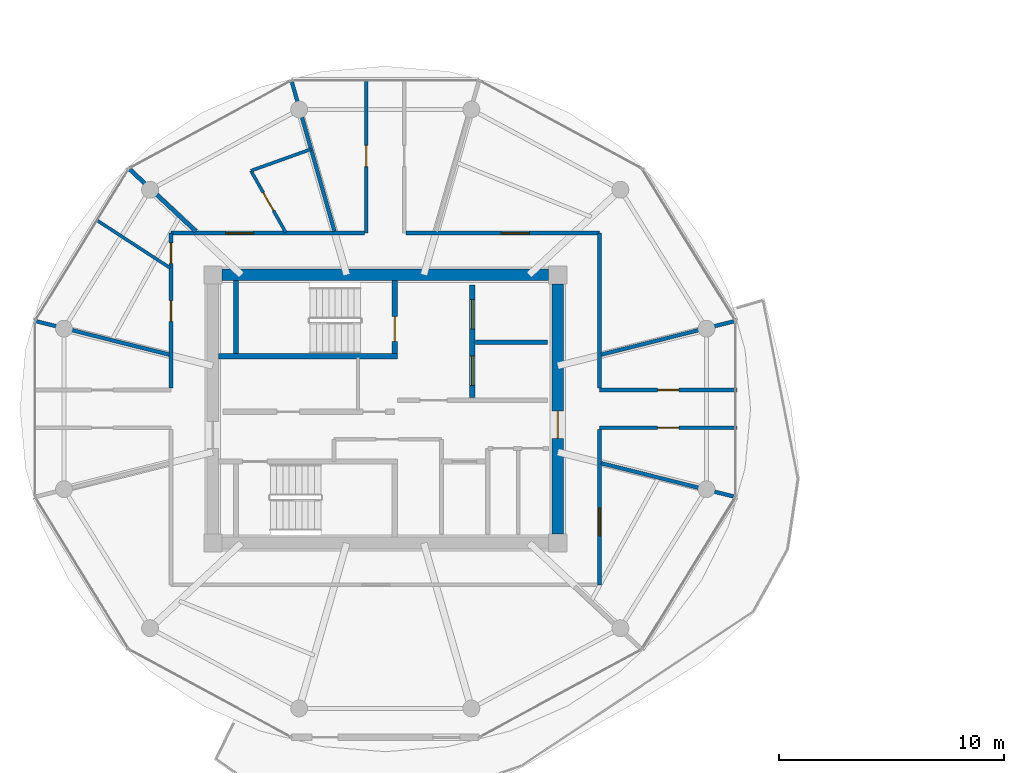
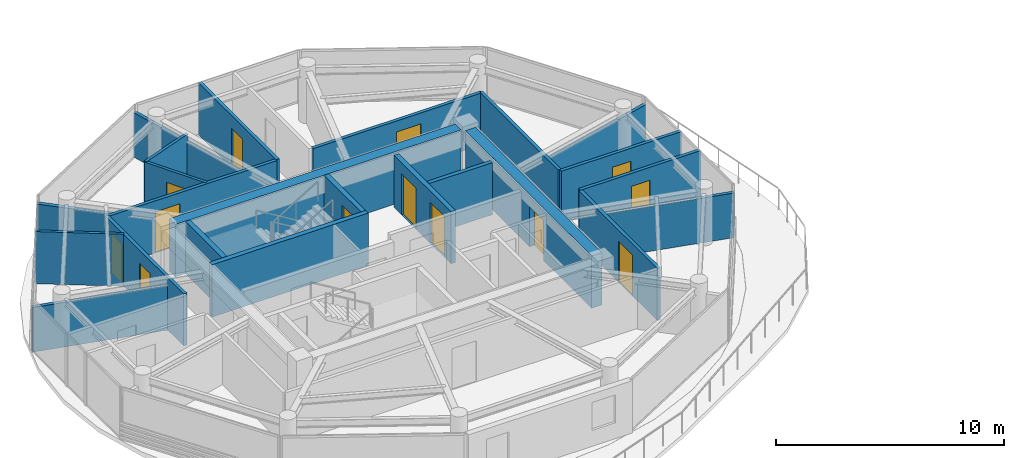
# One storey, part 10 of 19: 23 walls, 13 doors, 13 openings.
"""IFC4 building model written with IfcOpenShell, lengths in metres."""

from ifc_helpers import new_model, si_unit, direction, frame, frame_2d, origin, place, context, subcontext, project, spatial, rectangle, extrude, source, transform, mapped, material, layer, layer_set, type_object, type_shapes, element, fill, save


model = new_model("IFC4")

# Units and contexts
model_context = context("Model", 3, precision=1e-05, world=origin(), true_north=direction((0.0, 1.0)))
body_context = subcontext(model_context, "Body", "Model", "MODEL_VIEW")
ifc_project = project(units=[si_unit("LENGTHUNIT", "METRE"), si_unit("AREAUNIT", "SQUARE_METRE"), si_unit("VOLUMEUNIT", "CUBIC_METRE"), si_unit("PLANEANGLEUNIT", "RADIAN"), si_unit("MASSUNIT", "GRAM", prefix="KILO")], contexts=[model_context])

# Site, building, storey
site_placement = place(None, origin())
site = spatial("IfcSite", under=ifc_project, at=site_placement, CompositionType="ELEMENT")
building_placement = place(site_placement, origin())
building = spatial("IfcBuilding", under=site, at=building_placement, Name="Norrkilde Senior Care Towers", CompositionType="ELEMENT")
storey_placement = place(building_placement, frame((0.0, 0.0, 238.300048828125)))
storey = spatial("IfcBuildingStorey", under=building, at=storey_placement, Name="L74", CompositionType="ELEMENT", Elevation=238.300048828125)

# Wall
ifc_material_1 = material(Name="Concrete C50/60", Category="concrete")
ifc_layer_1 = layer(ifc_material_1, 0.52001953125)
ifc_layer_set_1 = layer_set([ifc_layer_1], Name="Concrete C50/60")
wall_type_1 = type_object("IfcWallType", Name="Core Shear Wall Z4 520", PredefinedType="SHEAR", material=ifc_layer_set_1)
shared_shape_1 = source(origin(), body_context, "Body", "SweptSolid", [
    extrude(rectangle(XDim=14.5, YDim=0.52001953125, at=frame_2d((7.25, 0.0))), origin(), (0.0, 0.0, 1.0), 2.81005859375),
])
wall_1_placement = place(storey_placement, frame((-35.25, 5.949951171875, 0.0), z_axis=(0.0, 0.0, 1.0), x_axis=(1.0, 0.0, 0.0)))
element("IfcWall", 1, at=wall_1_placement, inside=storey, type_object=wall_type_1, Name="L74 Core W North Shear Wall", PredefinedType="SHEAR", context=body_context, shape_type="MappedRepresentation", body=[
    mapped(shared_shape_1, transform((0.0, 0.0, 0.0), x_axis=(1.0, 0.0, 0.0), y_axis=(0.0, 1.0, 0.0), z_axis=(0.0, 0.0, 1.0), scale=1.0)),
])

# Wall, opening, door
shared_shape_2 = source(origin(), body_context, "Body", "SweptSolid", [
    extrude(rectangle(XDim=11.10009765625, YDim=0.52001953125, at=frame_2d((5.550048828125, 0.0))), origin(), (0.0, 0.0, 1.0), 2.81005859375),
])
type_shapes(wall_type_1, [shared_shape_1, shared_shape_2])
wall_2_placement = place(storey_placement, frame((-20.35009765625, 5.550048828125, 0.0), z_axis=(0.0, 0.0, 1.0), x_axis=(0.0, -1.0, 0.0)))
wall_2 = element("IfcWall", 2, at=wall_2_placement, inside=storey, type_object=wall_type_1, Name="L74 Core W East Shear Wall", PredefinedType="SHEAR", context=body_context, shape_type="MappedRepresentation", body=[
    mapped(shared_shape_2, transform((0.0, 0.0, 0.0), x_axis=(1.0, 0.0, 0.0), y_axis=(0.0, 1.0, 0.0), z_axis=(0.0, 0.0, 1.0), scale=1.0)),
])
opening_1_placement = place(wall_2_placement, frame((5.64990234375, 0.0, 0.0)))
opening_1 = element("IfcOpeningElement", 3, at=opening_1_placement, cuts=wall_2, Name="Opening D-04", PredefinedType="OPENING", context=body_context, shape_type="SweptSolid", body=[
    extrude(rectangle(XDim=1.199951171875, YDim=2.14990234375, at=frame_2d((0.60009765625, 1.074951171875))), frame((0.0, 0.27001953125, 0.0), z_axis=(0.0, -1.0, 0.0), x_axis=(1.0, 0.0, 0.0)), (0.0, 0.0, 1.0), 0.5400390625),
])
ifc_material_2 = material(Name="Galvanised Painted Steel", Category="steel")
door_type_1 = type_object("IfcDoorType", Name="Firefighting Lobby Fire Door 1200x2150", OperationType="NOTDEFINED", PredefinedType="DOOR", material=ifc_material_2)
shared_shape_3 = source(origin(), body_context, "Body", "SweptSolid", [
    extrude(rectangle(XDim=1.199951171875, YDim=2.14990234375, at=frame_2d((0.60009765625, 1.074951171875))), frame((0.0, 0.02490234375, 0.0), z_axis=(0.0, -1.0, 0.0), x_axis=(1.0, 0.0, 0.0)), (0.0, 0.0, 1.0), 0.050048828125),
])
type_shapes(door_type_1, [shared_shape_3])
door_1_placement = place(opening_1_placement, frame((1.199951171875, 0.0, 0.0), z_axis=(0.0, 0.0, 1.0), x_axis=(-1.0, 0.0, 0.0)))
door_1 = element("IfcDoor", 4, at=door_1_placement, inside=storey, type_object=door_type_1, Name="L74 Core W East Portal Door", OperationType="SINGLE_SWING_RIGHT", OverallHeight=2.14990234375, OverallWidth=1.199951171875, PredefinedType="DOOR", context=body_context, shape_type="MappedRepresentation", body=[
    mapped(shared_shape_3, transform((0.0, 0.0, 0.0), x_axis=(1.0, 0.0, 0.0), y_axis=(0.0, 1.0, 0.0), z_axis=(0.0, 0.0, 1.0), scale=1.0)),
])
fill(opening_1, door_1)

# Wall, openings, doors
ifc_material_3 = material(Name="Concrete C45/55", Category="concrete")
ifc_layer_2 = layer(ifc_material_3, 0.239990234375)
ifc_layer_set_2 = layer_set([ifc_layer_2], Name="Concrete C45/55")
wall_type_2 = type_object("IfcWallType", Name="Lift and Plant Rated Enclosure Partition 240", PredefinedType="PARTITIONING", material=ifc_layer_set_2)
shared_shape_4 = source(origin(), body_context, "Body", "SweptSolid", [
    extrude(rectangle(XDim=5.0, YDim=0.239990234375, at=frame_2d((2.5, 0.0))), origin(), (0.0, 0.0, 1.0), 2.794921875),
])
type_shapes(wall_type_2, [shared_shape_4])
wall_3_placement = place(storey_placement, frame((-24.139892578125, 0.5, 0.0), z_axis=(0.0, 0.0, 1.0), x_axis=(0.0, 1.0, 0.0)))
wall_3 = element("IfcWall", 5, at=wall_3_placement, inside=storey, type_object=wall_type_2, Name="WL-INT-L74-W-FFLE", PredefinedType="PARTITIONING", context=body_context, shape_type="MappedRepresentation", body=[
    mapped(shared_shape_4, transform((0.0, 0.0, 0.0), x_axis=(1.0, 0.0, 0.0), y_axis=(0.0, 1.0, 0.0), z_axis=(0.0, 0.0, 1.0), scale=1.0)),
])
opening_2_placement = place(wall_3_placement, frame((3.050048828125, 0.0, 0.0)))
opening_2 = element("IfcOpeningElement", 6, at=opening_2_placement, cuts=wall_3, Name="Opening LD-02", PredefinedType="OPENING", context=body_context, shape_type="SweptSolid", body=[
    extrude(rectangle(XDim=1.300048828125, YDim=2.199951171875, at=frame_2d((0.64990234375, 1.10009765625))), frame((0.0, 0.1298828125, 0.0), z_axis=(0.0, -1.0, 0.0), x_axis=(1.0, 0.0, 0.0)), (0.0, 0.0, 1.0), 0.260009765625),
])
opening_3_placement = place(wall_3_placement, frame((0.550048828125, 0.0, 0.0)))
opening_3 = element("IfcOpeningElement", 7, at=opening_3_placement, cuts=wall_3, Name="Opening LD-02", PredefinedType="OPENING", context=body_context, shape_type="SweptSolid", body=[
    extrude(rectangle(XDim=1.300048828125, YDim=2.199951171875, at=frame_2d((0.64990234375, 1.10009765625))), frame((0.0, 0.1298828125, 0.0), z_axis=(0.0, -1.0, 0.0), x_axis=(1.0, 0.0, 0.0)), (0.0, 0.0, 1.0), 0.260009765625),
])
ifc_material_4 = material(Name="Stainless Steel", Category="steel")
door_type_2 = type_object("IfcDoorType", Name="Stretcher and FFL Landing Sliding Door 1300x2200", OperationType="NOTDEFINED", PredefinedType="DOOR", material=ifc_material_4)
shared_shape_5 = source(origin(), body_context, "Body", "SweptSolid", [
    extrude(rectangle(XDim=1.300048828125, YDim=2.199951171875, at=frame_2d((0.64990234375, 1.10009765625))), frame((0.0, 0.02490234375, 0.0), z_axis=(0.0, -1.0, 0.0), x_axis=(1.0, 0.0, 0.0)), (0.0, 0.0, 1.0), 0.050048828125),
])
type_shapes(door_type_2, [shared_shape_5])
door_2_placement = place(opening_2_placement, origin())
door_2 = element("IfcDoor", 8, at=door_2_placement, inside=storey, type_object=door_type_2, Name="L74 Firefighting Lift W1 Landing Door", OperationType="SLIDING_TO_LEFT", OverallHeight=2.199951171875, OverallWidth=1.300048828125, PredefinedType="DOOR", context=body_context, shape_type="MappedRepresentation", body=[
    mapped(shared_shape_5, transform((0.0, 0.0, 0.0), x_axis=(1.0, 0.0, 0.0), y_axis=(0.0, 1.0, 0.0), z_axis=(0.0, 0.0, 1.0), scale=1.0)),
])
fill(opening_2, door_2)
door_3_placement = place(opening_3_placement, origin())
door_3 = element("IfcDoor", 9, at=door_3_placement, inside=storey, type_object=door_type_2, Name="L74 Stretcher Lift W1 Landing Door", OperationType="SLIDING_TO_RIGHT", OverallHeight=2.199951171875, OverallWidth=1.300048828125, PredefinedType="DOOR", context=body_context, shape_type="MappedRepresentation", body=[
    mapped(shared_shape_5, transform((0.0, 0.0, 0.0), x_axis=(1.0, 0.0, 0.0), y_axis=(0.0, 1.0, 0.0), z_axis=(0.0, 0.0, 1.0), scale=1.0)),
])
fill(opening_3, door_3)

# Wall
ifc_layer_3 = layer(ifc_material_3, 0.199951171875)
ifc_layer_set_3 = layer_set([ifc_layer_3], Name="Concrete C45/55")
wall_type_3 = type_object("IfcWallType", Name="Shaft Division and Plant Partition 200", PredefinedType="PARTITIONING", material=ifc_layer_set_3)
shared_shape_6 = source(origin(), body_context, "Body", "SweptSolid", [
    extrude(rectangle(XDim=3.199951171875, YDim=0.199951171875, at=frame_2d((1.60009765625, 0.0))), origin(), (0.0, 0.0, 1.0), 2.794921875),
])
type_shapes(wall_type_3, [shared_shape_6])
wall_4_placement = place(storey_placement, frame((-24.0, 2.949951171875, 0.0), z_axis=(0.0, 0.0, 1.0), x_axis=(1.0, 0.0, 0.0)))
element("IfcWall", 10, at=wall_4_placement, inside=storey, type_object=wall_type_3, Name="WL-INT-L74-W-FFLDIV", PredefinedType="PARTITIONING", context=body_context, shape_type="MappedRepresentation", body=[
    mapped(shared_shape_6, transform((0.0, 0.0, 0.0), x_axis=(1.0, 0.0, 0.0), y_axis=(0.0, 1.0, 0.0), z_axis=(0.0, 0.0, 1.0), scale=1.0)),
])

# Wall, opening, door
ifc_material_5 = material(Name="Gypsum Acoustic Board")
ifc_layer_4 = layer(ifc_material_5, 0.1650390625)
ifc_layer_set_4 = layer_set([ifc_layer_4], Name="Gypsum Acoustic Board")
wall_type_4 = type_object("IfcWallType", Name="Corridor Rated Partition 165", PredefinedType="PARTITIONING", material=ifc_layer_set_4)
shared_shape_7 = source(origin(), body_context, "Body", "SweptSolid", [
    extrude(rectangle(XDim=8.580078125, YDim=0.1650390625, at=frame_2d((4.2900390625, 0.0))), origin(), (0.0, 0.0, 1.0), 2.794921875),
])
wall_5_placement = place(storey_placement, frame((-37.5, 7.800048828125, 0.0), z_axis=(0.0, 0.0, 1.0), x_axis=(1.0, 0.0, 0.0)))
wall_5 = element("IfcWall", 11, at=wall_5_placement, inside=storey, type_object=wall_type_4, Name="WL-INT-L74-W-CRW-N-0", PredefinedType="PARTITIONING", context=body_context, shape_type="MappedRepresentation", body=[
    mapped(shared_shape_7, transform((0.0, 0.0, 0.0), x_axis=(1.0, 0.0, 0.0), y_axis=(0.0, 1.0, 0.0), z_axis=(0.0, 0.0, 1.0), scale=1.0)),
])
opening_4_placement = place(wall_5_placement, frame((2.41455078125, 0.0, 0.0)))
opening_4 = element("IfcOpeningElement", 12, at=opening_4_placement, cuts=wall_5, Name="Opening D-05", PredefinedType="OPENING", context=body_context, shape_type="SweptSolid", body=[
    extrude(rectangle(XDim=1.25, YDim=2.199951171875, at=frame_2d((0.625, 1.10009765625))), frame((0.0, 0.092529296875, 0.0), z_axis=(0.0, -1.0, 0.0), x_axis=(1.0, 0.0, 0.0)), (0.0, 0.0, 1.0), 0.18505859375),
])
ifc_material_6 = material(Name="Nordic Ash Timber", Category="wood")
door_type_3 = type_object("IfcDoorType", Name="Care Bedroom Bariatric Door 1250x2200", OperationType="NOTDEFINED", PredefinedType="DOOR", material=ifc_material_6)
shared_shape_8 = source(origin(), body_context, "Body", "SweptSolid", [
    extrude(rectangle(XDim=1.25, YDim=2.199951171875, at=frame_2d((0.625, 1.10009765625))), frame((0.0, 0.02490234375, 0.0), z_axis=(0.0, -1.0, 0.0), x_axis=(1.0, 0.0, 0.0)), (0.0, 0.0, 1.0), 0.050048828125),
])
type_shapes(door_type_3, [shared_shape_8])
door_4_placement = place(opening_4_placement, frame((1.25, 0.0, 0.0), z_axis=(0.0, 0.0, 1.0), x_axis=(-1.0, 0.0, 0.0)))
door_4 = element("IfcDoor", 13, at=door_4_placement, inside=storey, type_object=door_type_3, Name="L74 Care Suite 7403 Entrance Door", OperationType="SINGLE_SWING_RIGHT", OverallHeight=2.199951171875, OverallWidth=1.25, PredefinedType="DOOR", context=body_context, shape_type="MappedRepresentation", body=[
    mapped(shared_shape_8, transform((0.0, 0.0, 0.0), x_axis=(1.0, 0.0, 0.0), y_axis=(0.0, 1.0, 0.0), z_axis=(0.0, 0.0, 1.0), scale=1.0)),
])
fill(opening_4, door_4)

wall_6_placement = place(storey_placement, frame((-27.080078125, 7.800048828125, 0.0), z_axis=(0.0, 0.0, 1.0), x_axis=(1.0, 0.0, 0.0)))
wall_6 = element("IfcWall", 14, at=wall_6_placement, inside=storey, type_object=wall_type_4, Name="WL-INT-L74-W-CRW-N-1", PredefinedType="PARTITIONING", context=body_context, shape_type="MappedRepresentation", body=[
    mapped(shared_shape_7, transform((0.0, 0.0, 0.0), x_axis=(1.0, 0.0, 0.0), y_axis=(0.0, 1.0, 0.0), z_axis=(0.0, 0.0, 1.0), scale=1.0)),
])
opening_5_placement = place(wall_6_placement, frame((4.2197265625, 0.0, 0.0)))
opening_5 = element("IfcOpeningElement", 15, at=opening_5_placement, cuts=wall_6, Name="Opening D-05", PredefinedType="OPENING", context=body_context, shape_type="SweptSolid", body=[
    extrude(rectangle(XDim=1.25, YDim=2.199951171875, at=frame_2d((0.625, 1.10009765625))), frame((0.0, 0.092529296875, 0.0), z_axis=(0.0, -1.0, 0.0), x_axis=(1.0, 0.0, 0.0)), (0.0, 0.0, 1.0), 0.18505859375),
])
door_5_placement = place(opening_5_placement, frame((1.25, 0.0, 0.0), z_axis=(0.0, 0.0, 1.0), x_axis=(-1.0, 0.0, 0.0)))
door_5 = element("IfcDoor", 16, at=door_5_placement, inside=storey, type_object=door_type_3, Name="L74 Resident Therapeutic Day Lounge Door", OperationType="SINGLE_SWING_LEFT", OverallHeight=2.199951171875, OverallWidth=1.25, PredefinedType="DOOR", context=body_context, shape_type="MappedRepresentation", body=[
    mapped(shared_shape_8, transform((0.0, 0.0, 0.0), x_axis=(1.0, 0.0, 0.0), y_axis=(0.0, 1.0, 0.0), z_axis=(0.0, 0.0, 1.0), scale=1.0)),
])
fill(opening_5, door_5)

# Wall, openings, doors
shared_shape_9 = source(origin(), body_context, "Body", "SweptSolid", [
    extrude(rectangle(XDim=6.880126953125, YDim=0.1650390625, at=frame_2d((3.43994140625, 0.0))), origin(), (0.0, 0.0, 1.0), 2.794921875),
])
wall_7_placement = place(storey_placement, frame((-37.5, 0.919921875, 0.0), z_axis=(0.0, 0.0, 1.0), x_axis=(0.0, 1.0, 0.0)))
wall_7 = element("IfcWall", 17, at=wall_7_placement, inside=storey, type_object=wall_type_4, Name="WL-INT-L74-W-CRW-W-1", PredefinedType="PARTITIONING", context=body_context, shape_type="MappedRepresentation", body=[
    mapped(shared_shape_9, transform((0.0, 0.0, 0.0), x_axis=(1.0, 0.0, 0.0), y_axis=(0.0, 1.0, 0.0), z_axis=(0.0, 0.0, 1.0), scale=1.0)),
])
opening_6_placement = place(wall_7_placement, frame((5.525146484375, 0.0, 0.0)))
opening_6 = element("IfcOpeningElement", 18, at=opening_6_placement, cuts=wall_7, Name="Opening D-08", PredefinedType="OPENING", context=body_context, shape_type="SweptSolid", body=[
    extrude(rectangle(XDim=0.919921875, YDim=2.10009765625, at=frame_2d((0.4599609375, 1.050048828125))), frame((0.0, 0.092529296875, 0.0), z_axis=(0.0, -1.0, 0.0), x_axis=(1.0, 0.0, 0.0)), (0.0, 0.0, 1.0), 0.18505859375),
])
opening_7_placement = place(wall_7_placement, frame((2.96240234375, 0.0, 0.0)))
opening_7 = element("IfcOpeningElement", 19, at=opening_7_placement, cuts=wall_7, Name="Opening D-08", PredefinedType="OPENING", context=body_context, shape_type="SweptSolid", body=[
    extrude(rectangle(XDim=0.919921875, YDim=2.10009765625, at=frame_2d((0.4599609375, 1.050048828125))), frame((0.0, 0.092529296875, 0.0), z_axis=(0.0, -1.0, 0.0), x_axis=(1.0, 0.0, 0.0)), (0.0, 0.0, 1.0), 0.18505859375),
])
door_type_4 = type_object("IfcDoorType", Name="Accessible Wet Room Door 920x2100", OperationType="NOTDEFINED", PredefinedType="DOOR", material=ifc_material_6)
shared_shape_10 = source(origin(), body_context, "Body", "SweptSolid", [
    extrude(rectangle(XDim=0.919921875, YDim=2.10009765625, at=frame_2d((0.4599609375, 1.050048828125))), frame((0.0, 0.02490234375, 0.0), z_axis=(0.0, -1.0, 0.0), x_axis=(1.0, 0.0, 0.0)), (0.0, 0.0, 1.0), 0.050048828125),
])
type_shapes(door_type_4, [shared_shape_10])
door_6_placement = place(opening_6_placement, frame((0.919921875, 0.0, 0.0), z_axis=(0.0, 0.0, 1.0), x_axis=(-1.0, 0.0, 0.0)))
door_6 = element("IfcDoor", 20, at=door_6_placement, inside=storey, type_object=door_type_4, Name="L74 Accessible Restroom Door", OperationType="SINGLE_SWING_LEFT", OverallHeight=2.10009765625, OverallWidth=0.919921875, PredefinedType="DOOR", context=body_context, shape_type="MappedRepresentation", body=[
    mapped(shared_shape_10, transform((0.0, 0.0, 0.0), x_axis=(1.0, 0.0, 0.0), y_axis=(0.0, 1.0, 0.0), z_axis=(0.0, 0.0, 1.0), scale=1.0)),
])
fill(opening_6, door_6)
door_7_placement = place(opening_7_placement, frame((0.919921875, 0.0, 0.0), z_axis=(0.0, 0.0, 1.0), x_axis=(-1.0, 0.0, 0.0)))
door_7 = element("IfcDoor", 21, at=door_7_placement, inside=storey, type_object=door_type_4, Name="L74 Public Restroom Door", OperationType="SINGLE_SWING_RIGHT", OverallHeight=2.10009765625, OverallWidth=0.919921875, PredefinedType="DOOR", context=body_context, shape_type="MappedRepresentation", body=[
    mapped(shared_shape_10, transform((0.0, 0.0, 0.0), x_axis=(1.0, 0.0, 0.0), y_axis=(0.0, 1.0, 0.0), z_axis=(0.0, 0.0, 1.0), scale=1.0)),
])
fill(opening_7, door_7)

# Wall
wall_8_placement = place(storey_placement, frame((-18.5, 7.800048828125, 0.0), z_axis=(0.0, 0.0, 1.0), x_axis=(0.0, -1.0, 0.0)))
element("IfcWall", 22, at=wall_8_placement, inside=storey, type_object=wall_type_4, Name="WL-INT-L74-W-CRW-E-0", PredefinedType="PARTITIONING", context=body_context, shape_type="MappedRepresentation", body=[
    mapped(shared_shape_9, transform((0.0, 0.0, 0.0), x_axis=(1.0, 0.0, 0.0), y_axis=(0.0, 1.0, 0.0), z_axis=(0.0, 0.0, 1.0), scale=1.0)),
])

# Wall, opening, door
wall_9_placement = place(storey_placement, frame((-18.5, -0.919921875, 0.0), z_axis=(0.0, 0.0, 1.0), x_axis=(0.0, -1.0, 0.0)))
wall_9 = element("IfcWall", 23, at=wall_9_placement, inside=storey, type_object=wall_type_4, Name="WL-INT-L74-W-CRW-E-1", PredefinedType="PARTITIONING", context=body_context, shape_type="MappedRepresentation", body=[
    mapped(shared_shape_9, transform((0.0, 0.0, 0.0), x_axis=(1.0, 0.0, 0.0), y_axis=(0.0, 1.0, 0.0), z_axis=(0.0, 0.0, 1.0), scale=1.0)),
])
opening_8_placement = place(wall_9_placement, frame((3.46435546875, 0.0, 0.0)))
opening_8 = element("IfcOpeningElement", 24, at=opening_8_placement, cuts=wall_9, Name="Opening D-05", PredefinedType="OPENING", context=body_context, shape_type="SweptSolid", body=[
    extrude(rectangle(XDim=1.25, YDim=2.199951171875, at=frame_2d((0.625, 1.10009765625))), frame((0.0, 0.092529296875, 0.0), z_axis=(0.0, -1.0, 0.0), x_axis=(1.0, 0.0, 0.0)), (0.0, 0.0, 1.0), 0.18505859375),
])
door_8_placement = place(opening_8_placement, frame((1.25, 0.0, 0.0), z_axis=(0.0, 0.0, 1.0), x_axis=(-1.0, 0.0, 0.0)))
door_8 = element("IfcDoor", 25, at=door_8_placement, inside=storey, type_object=door_type_3, Name="L74 Care Coordination Charting Office Door", OperationType="SINGLE_SWING_LEFT", OverallHeight=2.199951171875, OverallWidth=1.25, PredefinedType="DOOR", context=body_context, shape_type="MappedRepresentation", body=[
    mapped(shared_shape_8, transform((0.0, 0.0, 0.0), x_axis=(1.0, 0.0, 0.0), y_axis=(0.0, 1.0, 0.0), z_axis=(0.0, 0.0, 1.0), scale=1.0)),
])
fill(opening_8, door_8)

# Walls
ifc_layer_5 = layer(ifc_material_3, 0.239990234375)
ifc_layer_set_5 = layer_set([ifc_layer_5], Name="Concrete C45/55")
wall_type_5 = type_object("IfcWallType", Name="Shaft and Stair Enclosure Wall 240", PredefinedType="PARTITIONING", material=ifc_layer_set_5)
shared_shape_11 = source(origin(), body_context, "Body", "SweptSolid", [
    extrude(rectangle(XDim=7.929931640625, YDim=0.239990234375, at=frame_2d((3.96484375, 0.0))), origin(), (0.0, 0.0, 1.0), 2.81005859375),
])
wall_10_placement = place(storey_placement, frame((-35.389892578125, 2.330078125, 0.0), z_axis=(0.0, 0.0, 1.0), x_axis=(1.0, 0.0, 0.0)))
element("IfcWall", 26, at=wall_10_placement, inside=storey, type_object=wall_type_5, Name="WL-INT-L74-W-ST1S", PredefinedType="PARTITIONING", context=body_context, shape_type="MappedRepresentation", body=[
    mapped(shared_shape_11, transform((0.0, 0.0, 0.0), x_axis=(1.0, 0.0, 0.0), y_axis=(0.0, 1.0, 0.0), z_axis=(0.0, 0.0, 1.0), scale=1.0)),
])
shared_shape_12 = source(origin(), body_context, "Body", "SweptSolid", [
    extrude(rectangle(XDim=3.239990234375, YDim=0.239990234375, at=frame_2d((1.6201171875, 0.0))), origin(), (0.0, 0.0, 1.0), 2.81005859375),
])
type_shapes(wall_type_5, [shared_shape_11, shared_shape_12])
wall_11_placement = place(storey_placement, frame((-34.6201171875, 2.449951171875, 0.0), z_axis=(0.0, 0.0, 1.0), x_axis=(0.0, 1.0, 0.0)))
element("IfcWall", 27, at=wall_11_placement, inside=storey, type_object=wall_type_5, Name="WL-INT-L74-W-ST1W", PredefinedType="PARTITIONING", context=body_context, shape_type="MappedRepresentation", body=[
    mapped(shared_shape_12, transform((0.0, 0.0, 0.0), x_axis=(1.0, 0.0, 0.0), y_axis=(0.0, 1.0, 0.0), z_axis=(0.0, 0.0, 1.0), scale=1.0)),
])

# Wall, opening, door
wall_12_placement = place(storey_placement, frame((-27.580078125, 2.449951171875, 0.0), z_axis=(0.0, 0.0, 1.0), x_axis=(0.0, 1.0, 0.0)))
wall_12 = element("IfcWall", 28, at=wall_12_placement, inside=storey, type_object=wall_type_5, Name="WL-INT-L74-W-ST1E", PredefinedType="PARTITIONING", context=body_context, shape_type="MappedRepresentation", body=[
    mapped(shared_shape_12, transform((0.0, 0.0, 0.0), x_axis=(1.0, 0.0, 0.0), y_axis=(0.0, 1.0, 0.0), z_axis=(0.0, 0.0, 1.0), scale=1.0)),
])
opening_9_placement = place(wall_12_placement, frame((0.550048828125, 0.0, 0.0)))
opening_9 = element("IfcOpeningElement", 29, at=opening_9_placement, cuts=wall_12, Name="Opening D-03", PredefinedType="OPENING", context=body_context, shape_type="SweptSolid", body=[
    extrude(rectangle(XDim=1.10009765625, YDim=2.14990234375, at=frame_2d((0.550048828125, 1.074951171875))), frame((0.0, 0.1298828125, 0.0), z_axis=(0.0, -1.0, 0.0), x_axis=(1.0, 0.0, 0.0)), (0.0, 0.0, 1.0), 0.260009765625),
])
door_type_5 = type_object("IfcDoorType", Name="Stairwell Protected Fire Door 1100x2150", OperationType="NOTDEFINED", PredefinedType="DOOR", material=ifc_material_2)
shared_shape_13 = source(origin(), body_context, "Body", "SweptSolid", [
    extrude(rectangle(XDim=1.10009765625, YDim=2.14990234375, at=frame_2d((0.550048828125, 1.074951171875))), frame((0.0, 0.02490234375, 0.0), z_axis=(0.0, -1.0, 0.0), x_axis=(1.0, 0.0, 0.0)), (0.0, 0.0, 1.0), 0.050048828125),
])
type_shapes(door_type_5, [shared_shape_13])
door_9_placement = place(opening_9_placement, origin())
door_9 = element("IfcDoor", 30, at=door_9_placement, inside=storey, type_object=door_type_5, Name="L74 Stair W1 Fire Door", OperationType="SINGLE_SWING_LEFT", OverallHeight=2.14990234375, OverallWidth=1.10009765625, PredefinedType="DOOR", context=body_context, shape_type="MappedRepresentation", body=[
    mapped(shared_shape_13, transform((0.0, 0.0, 0.0), x_axis=(1.0, 0.0, 0.0), y_axis=(0.0, 1.0, 0.0), z_axis=(0.0, 0.0, 1.0), scale=1.0)),
])
fill(opening_9, door_9)

# Walls
shared_shape_14 = source(origin(), body_context, "Body", "SweptSolid", [
    extrude(rectangle(XDim=6.973876953125, YDim=0.1650390625, at=frame_2d((3.48681640625, 0.0))), origin(), (0.0, 0.0, 1.0), 2.39501953125),
])
wall_13_placement = place(storey_placement, frame((-30.251220703125, 7.8798828125, 0.0), z_axis=(0.0, 0.0, 1.0), x_axis=(-0.274707256801, 0.961527910703, 0.0)))
element("IfcWall", 31, at=wall_13_placement, inside=storey, type_object=wall_type_4, Name="WL-INT-L74-W-DEM-03-0", PredefinedType="PARTITIONING", context=body_context, shape_type="MappedRepresentation", body=[
    mapped(shared_shape_14, transform((0.0, 0.0, 0.0), x_axis=(1.0, 0.0, 0.0), y_axis=(0.0, 1.0, 0.0), z_axis=(0.0, 0.0, 1.0), scale=1.0)),
])
shared_shape_15 = source(origin(), body_context, "Body", "SweptSolid", [
    extrude(rectangle(XDim=6.1572265625, YDim=0.1650390625, at=frame_2d((3.07861328125, 0.0))), origin(), (0.0, 0.0, 1.0), 2.39501953125),
])
for number, where, z_axis, x_axis, name in (
    (32, (-37.580078125, 2.407470703125, 0.0), (0.0, 0.0, 1.0), (-0.969840867184, 0.243738984038, 0.0), "WL-INT-L74-W-DEM-05-0"),
    (33, (-18.419921875, -2.407470703125, 0.0), (0.0, 0.0, 1.0), (0.969840867184, -0.243738984038, 0.0), "WL-INT-L74-W-DEM-11-0"),
    (34, (-18.419921875, 2.407470703125, 0.0), (0.0, 0.0, 1.0), (0.969840867184, 0.243738984038, 0.0), "WL-INT-L74-W-DEM-00-0"),
):
    element("IfcWall", number, at=place(storey_placement, frame(where, z_axis=z_axis, x_axis=x_axis)), inside=storey, type_object=wall_type_4, Name=name, PredefinedType="PARTITIONING", context=body_context, shape_type="MappedRepresentation", body=[
        mapped(shared_shape_15, transform((0.0, 0.0, 0.0), x_axis=(1.0, 0.0, 0.0), y_axis=(0.0, 1.0, 0.0), z_axis=(0.0, 0.0, 1.0), scale=1.0)),
    ])
ifc_layer_6 = layer(ifc_material_5, 0.18994140625)
ifc_layer_set_6 = layer_set([ifc_layer_6], Name="Gypsum Acoustic Board")
wall_type_6 = type_object("IfcWallType", Name="Unit Demising Acoustic Wall 190", PredefinedType="PARTITIONING", material=ifc_layer_set_6)
shared_shape_16 = source(origin(), body_context, "Body", "SweptSolid", [
    extrude(rectangle(XDim=4.089111328125, YDim=0.18994140625, at=frame_2d((2.04443359375, 0.0))), origin(), (0.0, 0.0, 1.0), 2.39501953125),
])
type_shapes(wall_type_6, [shared_shape_16])
wall_14_placement = place(storey_placement, frame((-36.40185546875, 7.8798828125, 0.0), z_axis=(0.0, 0.0, 1.0), x_axis=(-0.729401273609, 0.684086092577, 0.0)))
element("IfcWall", 35, at=wall_14_placement, inside=storey, type_object=wall_type_6, Name="WL-INT-L74-W-DEM-04-0", PredefinedType="PARTITIONING", context=body_context, shape_type="MappedRepresentation", body=[
    mapped(shared_shape_16, transform((0.0, 0.0, 0.0), x_axis=(1.0, 0.0, 0.0), y_axis=(0.0, 1.0, 0.0), z_axis=(0.0, 0.0, 1.0), scale=1.0)),
])

# Wall, opening, door
shared_shape_17 = source(origin(), body_context, "Body", "SweptSolid", [
    extrude(rectangle(XDim=6.83544921875, YDim=0.1650390625, at=frame_2d((3.417724609375, 0.0))), origin(), (0.0, 0.0, 1.0), 2.794921875),
])
wall_15_placement = place(storey_placement, frame((-28.840087890625, 7.800048828125, 0.0), z_axis=(0.0, 0.0, 1.0), x_axis=(0.0, 1.0, 0.0)))
wall_15 = element("IfcWall", 36, at=wall_15_placement, inside=storey, type_object=wall_type_4, Name="WL-INT-L74-W-SPK-N1-0", PredefinedType="PARTITIONING", context=body_context, shape_type="MappedRepresentation", body=[
    mapped(shared_shape_17, transform((0.0, 0.0, 0.0), x_axis=(1.0, 0.0, 0.0), y_axis=(0.0, 1.0, 0.0), z_axis=(0.0, 0.0, 1.0), scale=1.0)),
])
opening_10_placement = place(wall_15_placement, frame((2.942626953125, 0.0, 0.0)))
opening_10 = element("IfcOpeningElement", 37, at=opening_10_placement, cuts=wall_15, Name="Opening D-07", PredefinedType="OPENING", context=body_context, shape_type="SweptSolid", body=[
    extrude(rectangle(XDim=0.949951171875, YDim=2.10009765625, at=frame_2d((0.47509765625, 1.050048828125))), frame((0.0, 0.092529296875, 0.0), z_axis=(0.0, -1.0, 0.0), x_axis=(1.0, 0.0, 0.0)), (0.0, 0.0, 1.0), 0.18505859375),
])
door_type_6 = type_object("IfcDoorType", Name="Internal Suite Bedroom Door 950x2100", OperationType="NOTDEFINED", PredefinedType="DOOR", material=ifc_material_6)
shared_shape_18 = source(origin(), body_context, "Body", "SweptSolid", [
    extrude(rectangle(XDim=0.949951171875, YDim=2.10009765625, at=frame_2d((0.47509765625, 1.050048828125))), frame((0.0, 0.02490234375, 0.0), z_axis=(0.0, -1.0, 0.0), x_axis=(1.0, 0.0, 0.0)), (0.0, 0.0, 1.0), 0.050048828125),
])
type_shapes(door_type_6, [shared_shape_18])
door_10_placement = place(opening_10_placement, frame((0.949951171875, 0.0, 0.0), z_axis=(0.0, 0.0, 1.0), x_axis=(-1.0, 0.0, 0.0)))
door_10 = element("IfcDoor", 38, at=door_10_placement, inside=storey, type_object=door_type_6, Name="L74 Sun Reading Lounge 3 Door", OperationType="SINGLE_SWING_RIGHT", OverallHeight=2.10009765625, OverallWidth=0.949951171875, PredefinedType="DOOR", context=body_context, shape_type="MappedRepresentation", body=[
    mapped(shared_shape_18, transform((0.0, 0.0, 0.0), x_axis=(1.0, 0.0, 0.0), y_axis=(0.0, 1.0, 0.0), z_axis=(0.0, 0.0, 1.0), scale=1.0)),
])
fill(opening_10, door_10)

shared_shape_19 = source(origin(), body_context, "Body", "SweptSolid", [
    extrude(rectangle(XDim=6.101318359375, YDim=0.1650390625, at=frame_2d((3.05078125, 0.0))), origin(), (0.0, 0.0, 1.0), 2.794921875),
])
type_shapes(wall_type_4, [shared_shape_7, shared_shape_9, shared_shape_14, shared_shape_15, shared_shape_17, shared_shape_19])
wall_16_placement = place(storey_placement, frame((-18.5, 0.840087890625, 0.0), z_axis=(0.0, 0.0, 1.0), x_axis=(1.0, 0.0, 0.0)))
wall_16 = element("IfcWall", 39, at=wall_16_placement, inside=storey, type_object=wall_type_4, Name="WL-INT-L74-W-SPK-E1-0", PredefinedType="PARTITIONING", context=body_context, shape_type="MappedRepresentation", body=[
    mapped(shared_shape_19, transform((0.0, 0.0, 0.0), x_axis=(1.0, 0.0, 0.0), y_axis=(0.0, 1.0, 0.0), z_axis=(0.0, 0.0, 1.0), scale=1.0)),
])
opening_11_placement = place(wall_16_placement, frame((2.57568359375, 0.0, 0.0)))
opening_11 = element("IfcOpeningElement", 40, at=opening_11_placement, cuts=wall_16, Name="Opening D-07", PredefinedType="OPENING", context=body_context, shape_type="SweptSolid", body=[
    extrude(rectangle(XDim=0.949951171875, YDim=2.10009765625, at=frame_2d((0.47509765625, 1.050048828125))), frame((0.0, 0.092529296875, 0.0), z_axis=(0.0, -1.0, 0.0), x_axis=(1.0, 0.0, 0.0)), (0.0, 0.0, 1.0), 0.18505859375),
])
door_11_placement = place(opening_11_placement, frame((0.949951171875, 0.0, 0.0), z_axis=(0.0, 0.0, 1.0), x_axis=(-1.0, 0.0, 0.0)))
door_11 = element("IfcDoor", 41, at=door_11_placement, inside=storey, type_object=door_type_6, Name="L74 Sun Reading Lounge 6 Door", OperationType="SINGLE_SWING_LEFT", OverallHeight=2.10009765625, OverallWidth=0.949951171875, PredefinedType="DOOR", context=body_context, shape_type="MappedRepresentation", body=[
    mapped(shared_shape_18, transform((0.0, 0.0, 0.0), x_axis=(1.0, 0.0, 0.0), y_axis=(0.0, 1.0, 0.0), z_axis=(0.0, 0.0, 1.0), scale=1.0)),
])
fill(opening_11, door_11)

wall_17_placement = place(storey_placement, frame((-12.398681640625, -0.840087890625, 0.0), z_axis=(0.0, 0.0, 1.0), x_axis=(-1.0, 0.0, 0.0)))
wall_17 = element("IfcWall", 42, at=wall_17_placement, inside=storey, type_object=wall_type_4, Name="WL-INT-L74-W-SPK-E2-0", PredefinedType="PARTITIONING", context=body_context, shape_type="MappedRepresentation", body=[
    mapped(shared_shape_19, transform((0.0, 0.0, 0.0), x_axis=(1.0, 0.0, 0.0), y_axis=(0.0, 1.0, 0.0), z_axis=(0.0, 0.0, 1.0), scale=1.0)),
])
opening_12_placement = place(wall_17_placement, frame((2.57568359375, 0.0, 0.0)))
opening_12 = element("IfcOpeningElement", 43, at=opening_12_placement, cuts=wall_17, Name="Opening D-07", PredefinedType="OPENING", context=body_context, shape_type="SweptSolid", body=[
    extrude(rectangle(XDim=0.949951171875, YDim=2.10009765625, at=frame_2d((0.47509765625, 1.050048828125))), frame((0.0, 0.092529296875, 0.0), z_axis=(0.0, -1.0, 0.0), x_axis=(1.0, 0.0, 0.0)), (0.0, 0.0, 1.0), 0.18505859375),
])
door_12_placement = place(opening_12_placement, frame((0.949951171875, 0.0, 0.0), z_axis=(0.0, 0.0, 1.0), x_axis=(-1.0, 0.0, 0.0)))
door_12 = element("IfcDoor", 44, at=door_12_placement, inside=storey, type_object=door_type_6, Name="L74 Sun Reading Lounge 5 Door", OperationType="SINGLE_SWING_RIGHT", OverallHeight=2.10009765625, OverallWidth=0.949951171875, PredefinedType="DOOR", context=body_context, shape_type="MappedRepresentation", body=[
    mapped(shared_shape_18, transform((0.0, 0.0, 0.0), x_axis=(1.0, 0.0, 0.0), y_axis=(0.0, 1.0, 0.0), z_axis=(0.0, 0.0, 1.0), scale=1.0)),
])
fill(opening_12, door_12)

ifc_layer_7 = layer(ifc_material_5, 0.139892578125)
ifc_layer_set_7 = layer_set([ifc_layer_7], Name="Gypsum Acoustic Board")
wall_type_7 = type_object("IfcWallType", Name="En-suite Wet Room Wall 140", PredefinedType="PARTITIONING", material=ifc_layer_set_7)
shared_shape_20 = source(origin(), body_context, "Body", "SweptSolid", [
    extrude(rectangle(XDim=3.14013671875, YDim=0.139892578125, at=frame_2d((1.570068359375, 0.0))), origin(), (0.0, 0.0, 1.0), 2.794921875),
])
wall_18_placement = place(storey_placement, frame((-32.4150390625, 7.830078125, 0.0), z_axis=(0.0, 0.0, 1.0), x_axis=(-0.491132137966, 0.871085083707, 0.0)))
wall_18 = element("IfcWall", 45, at=wall_18_placement, inside=storey, type_object=wall_type_7, Name="WL-INT-L74-W-ES-03", PredefinedType="PARTITIONING", context=body_context, shape_type="MappedRepresentation", body=[
    mapped(shared_shape_20, transform((0.0, 0.0, 0.0), x_axis=(1.0, 0.0, 0.0), y_axis=(0.0, 1.0, 0.0), z_axis=(0.0, 0.0, 1.0), scale=1.0)),
])
opening_13_placement = place(wall_18_placement, frame((1.110107421875, 0.0, 0.0)))
opening_13 = element("IfcOpeningElement", 46, at=opening_13_placement, cuts=wall_18, Name="Opening D-08", PredefinedType="OPENING", context=body_context, shape_type="SweptSolid", body=[
    extrude(rectangle(XDim=0.919921875, YDim=2.10009765625, at=frame_2d((0.4599609375, 1.050048828125))), frame((0.0, 0.079833984375, 0.0), z_axis=(0.0, -1.0, 0.0), x_axis=(1.0, 0.0, 0.0)), (0.0, 0.0, 1.0), 0.159912109375),
])
door_13_placement = place(opening_13_placement, origin())
door_13 = element("IfcDoor", 47, at=door_13_placement, inside=storey, type_object=door_type_4, Name="L74 Care Suite 7403 Bathroom Door", OperationType="SINGLE_SWING_LEFT", OverallHeight=2.10009765625, OverallWidth=0.919921875, PredefinedType="DOOR", context=body_context, shape_type="MappedRepresentation", body=[
    mapped(shared_shape_10, transform((0.0, 0.0, 0.0), x_axis=(1.0, 0.0, 0.0), y_axis=(0.0, 1.0, 0.0), z_axis=(0.0, 0.0, 1.0), scale=1.0)),
])
fill(opening_13, door_13)

# Walls
shared_shape_21 = source(origin(), body_context, "Body", "SweptSolid", [
    extrude(rectangle(XDim=2.8310546875, YDim=0.139892578125, at=frame_2d((1.41552734375, 0.0))), origin(), (0.0, 0.0, 1.0), 2.794921875),
])
wall_19_placement = place(storey_placement, frame((-33.957275390625, 10.5654296875, 0.0), z_axis=(0.0, 0.0, 1.0), x_axis=(0.941411742535, 0.337259441701, 0.0)))
element("IfcWall", 48, at=wall_19_placement, inside=storey, type_object=wall_type_7, Name="WL-INT-L74-W-EF-03", PredefinedType="PARTITIONING", context=body_context, shape_type="MappedRepresentation", body=[
    mapped(shared_shape_21, transform((0.0, 0.0, 0.0), x_axis=(1.0, 0.0, 0.0), y_axis=(0.0, 1.0, 0.0), z_axis=(0.0, 0.0, 1.0), scale=1.0)),
])
shared_shape_22 = source(origin(), body_context, "Body", "SweptSolid", [
    extrude(rectangle(XDim=3.903564453125, YDim=0.139892578125, at=frame_2d((1.95166015625, 0.0))), origin(), (0.0, 0.0, 1.0), 2.794921875),
])
type_shapes(wall_type_7, [shared_shape_20, shared_shape_21, shared_shape_22])
wall_20_placement = place(storey_placement, frame((-37.530029296875, 6.245849609375, 0.0), z_axis=(0.0, 0.0, 1.0), x_axis=(-0.838024687996, 0.545632314209, 0.0)))
element("IfcWall", 49, at=wall_20_placement, inside=storey, type_object=wall_type_7, Name="WL-INT-L74-W-MID-04", PredefinedType="PARTITIONING", context=body_context, shape_type="MappedRepresentation", body=[
    mapped(shared_shape_22, transform((0.0, 0.0, 0.0), x_axis=(1.0, 0.0, 0.0), y_axis=(0.0, 1.0, 0.0), z_axis=(0.0, 0.0, 1.0), scale=1.0)),
])

save(model, "model.ifc")
